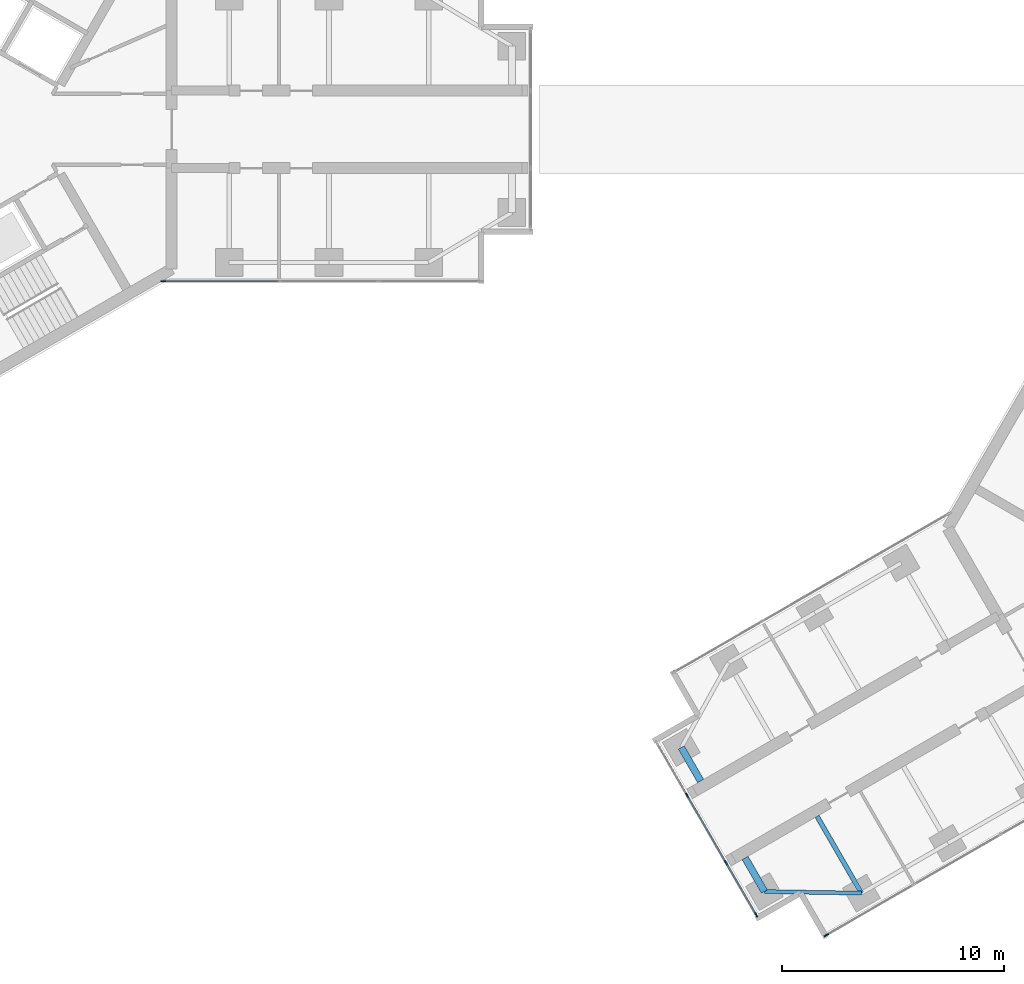
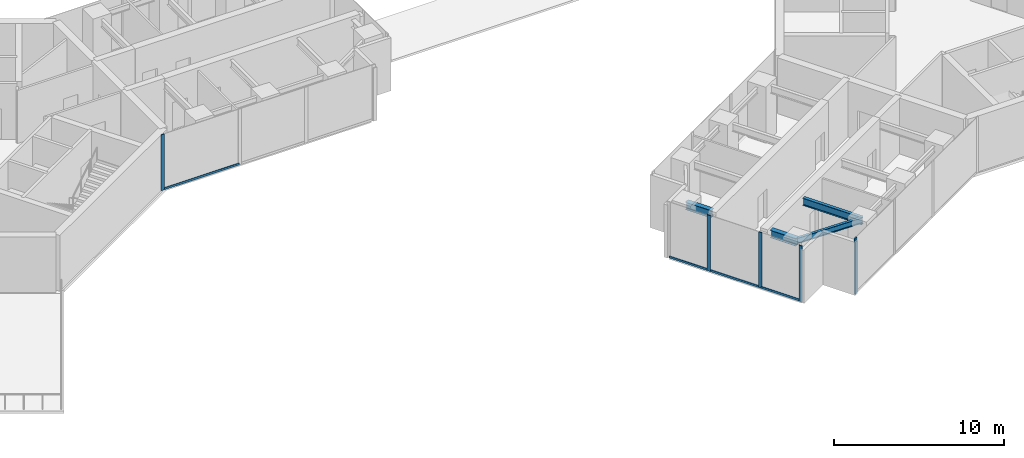
# One storey, part 2 of 18: 9 members, 4 beams, 3 elements without a shape of their own.
"""IFC4 building model written with IfcOpenShell, lengths in metres."""

from ifc_helpers import new_model, si_unit, direction, frame, origin, origin_2d, place, context, subcontext, project, spatial, rectangle, i_section, extrude, material, material_profile, profile_set, type_object, element, aggregate, save


model = new_model("IFC4")

# Units and contexts
model_context = context("Model", 3, precision=1e-05, world=origin(), true_north=direction((0.0, 1.0)))
body_context = subcontext(model_context, "Body", "Model", "MODEL_VIEW")
ifc_project = project(units=[si_unit("LENGTHUNIT", "METRE"), si_unit("AREAUNIT", "SQUARE_METRE"), si_unit("VOLUMEUNIT", "CUBIC_METRE"), si_unit("PLANEANGLEUNIT", "RADIAN"), si_unit("MASSUNIT", "GRAM", prefix="KILO")], contexts=[model_context])

# Site, building, storey
site_placement = place(None, origin())
site = spatial("IfcSite", under=ifc_project, at=site_placement, CompositionType="ELEMENT")
building_placement = place(site_placement, origin())
building = spatial("IfcBuilding", under=site, at=building_placement, Name="Upepo Twin Towers", CompositionType="ELEMENT")
storey_placement = place(building_placement, frame((0.0, 0.0, 170.5)))
storey = spatial("IfcBuildingStorey", under=building, at=storey_placement, Name="L41", CompositionType="ELEMENT", Elevation=170.5)

# Beams
ifc_material_1 = material(Name="Steel S355", Category="steel")
ifc_material_profile_1 = material_profile(ifc_material_1, i_section(OverallWidth=0.177978515625, OverallDepth=0.406494140625, WebThickness=0.0078125, FlangeThickness=0.0126953125, FilletRadius=0.01025390625, at=origin_2d()), Name="UB 406x178x60")
ifc_profile_set_1 = profile_set([ifc_material_profile_1], Name="Steel S355")
beam_type_1 = type_object("IfcBeamType", Name="Beam UB 406x178x60", PredefinedType="BEAM", material=ifc_profile_set_1)
beam_1_placement = place(storey_placement, frame((42.014404296875, -34.446044921875, 3.5966796875), z_axis=(-0.999858804832, 0.016803880528, 0.0), x_axis=(-0.016803880528, -0.999858804832, 0.0)))
element("IfcBeam", 1, at=beam_1_placement, inside=storey, type_object=beam_type_1, Name="T2 nose edge beam BL", PredefinedType="BEAM", context=body_context, shape_type="SweptSolid", body=[
    extrude(i_section(OverallWidth=0.177978515625, OverallDepth=0.406494140625, WebThickness=0.0078125, FlangeThickness=0.0126953125, FilletRadius=0.01025390625, at=origin_2d()), origin(), (0.0, 0.0, 1.0), 4.373291015625),
])
ifc_material_2 = material(Name="Steel S355", Category="steel")
ifc_material_profile_2 = material_profile(ifc_material_2, i_section(OverallWidth=0.209228515625, OverallDepth=0.533203125, WebThickness=0.010009765625, FlangeThickness=0.015625, FilletRadius=0.0126953125, at=origin_2d()), Name="UB 533x210x92")
ifc_profile_set_2 = profile_set([ifc_material_profile_2], Name="Steel S355")
beam_type_2 = type_object("IfcBeamType", Name="Beam UB 533x210x92", PredefinedType="BEAM", material=ifc_profile_set_2)
beam_2_placement = place(storey_placement, frame((42.014404296875, -34.446044921875, 3.533447265625), z_axis=(-0.49999894854, 0.866026010844, 0.0), x_axis=(-0.866026010844, -0.49999894854, 0.0)))
element("IfcBeam", 2, at=beam_2_placement, inside=storey, type_object=beam_type_2, Name="T2 girder BL at 22.5", PredefinedType="BEAM", context=body_context, shape_type="SweptSolid", body=[
    extrude(i_section(OverallWidth=0.209228515625, OverallDepth=0.533203125, WebThickness=0.010009765625, FlangeThickness=0.015625, FilletRadius=0.0126953125, at=origin_2d()), origin(), (0.0, 0.0, 1.0), 4.0),
])
ifc_material_3 = material(Name="Steel S355", Category="steel")
ifc_material_profile_3 = material_profile(ifc_material_3, i_section(OverallWidth=0.31201171875, OverallDepth=0.54345703125, WebThickness=0.0126953125, FlangeThickness=0.020263671875, FilletRadius=0.0126953125, at=origin_2d()), Name="UB 533x312x150")
ifc_profile_set_3 = profile_set([ifc_material_profile_3], Name="Steel S355")
beam_type_3 = type_object("IfcBeamType", Name="Beam UB 533x312x150", PredefinedType="BEAM", material=ifc_profile_set_3)
for number, where, z_axis, x_axis, name in (
    (3, (37.641845703125, -34.37255859375, 3.5283203125), (-0.499980071345, 0.866036909293, 0.0), (-0.866036909293, -0.499980071345, 0.0), "T2 nose beam BL"),
    (4, (33.891845703125, -27.87744140625, 3.5283203125), (0.499980071345, -0.866036909293, 0.0), (0.866036909293, 0.499980071345, 0.0), "T2 nose beam BR"),
):
    element("IfcBeam", number, at=place(storey_placement, frame(where, z_axis=z_axis, x_axis=x_axis)), inside=storey, type_object=beam_type_3, Name=name, PredefinedType="BEAM", context=body_context, shape_type="SweptSolid", body=[
        extrude(i_section(OverallWidth=0.31201171875, OverallDepth=0.54345703125, WebThickness=0.0126953125, FlangeThickness=0.020263671875, FilletRadius=0.0126953125, at=origin_2d()), origin(), (0.0, 0.0, 1.0), 1.75),
    ])

# Curtain wall, member
ifc_material_4 = material(Name="Aluminium and fritted glass", Category="aluminium")
curtain_wall_type = type_object("IfcCurtainWallType", Name="Tower curtain wall TW3, fritted glass", PredefinedType="NOTDEFINED", material=ifc_material_4)
curtain_wall_1_placement = place(storey_placement, origin())
curtain_wall_1 = element("IfcCurtainWall", 5, at=curtain_wall_1_placement, inside=storey, type_object=curtain_wall_type, Name="T1 L41 wing A flank R curtain wall", PredefinedType="NOTDEFINED")
ifc_material_5 = material(Name="Aluminium mullion", Category="aluminium")
ifc_material_profile_4 = material_profile(ifc_material_5, rectangle(XDim=0.06494140625, YDim=0.22509765625, at=origin_2d()), Name="MULLION 65x225")
ifc_profile_set_4 = profile_set([ifc_material_profile_4], Name="Aluminium mullion")
member_type_1 = type_object("IfcMemberType", Name="Mullion 65x225 TW3", PredefinedType="MULLION", material=ifc_profile_set_4)
member_1_placement = place(storey_placement, frame((10.51953125, -6.85009765625, 0.0), z_axis=(0.0, 0.0, 1.0), x_axis=(0.0, -1.0, 0.0)))
member_1 = element("IfcMember", 6, at=member_1_placement, type_object=member_type_1, Name="T1 L41 wing A flank R curtain wall mullion 4", PredefinedType="MULLION", context=body_context, shape_type="SweptSolid", body=[
    extrude(rectangle(XDim=0.06494140625, YDim=0.22509765625, at=origin_2d()), origin(), (0.0, 0.0, 1.0), 4.0),
])

curtain_wall_2_placement = place(storey_placement, origin())
curtain_wall_2 = element("IfcCurtainWall", 7, at=curtain_wall_2_placement, inside=storey, type_object=curtain_wall_type, Name="T2 L41 wing B flank L curtain wall", PredefinedType="NOTDEFINED")
member_2_placement = place(storey_placement, frame((40.432373046875, -36.341064453125, 0.0), z_axis=(0.0, 0.0, 1.0), x_axis=(0.500000026527, -0.866025388469, 0.0)))
member_2 = element("IfcMember", 8, at=member_2_placement, type_object=member_type_1, Name="T2 L41 wing B flank L curtain wall mullion 4", PredefinedType="MULLION", context=body_context, shape_type="SweptSolid", body=[
    extrude(rectangle(XDim=0.06494140625, YDim=0.22509765625, at=origin_2d()), origin(), (0.0, 0.0, 1.0), 4.0),
])
aggregate(curtain_wall_2, [member_2])

# Curtain wall, members
curtain_wall_3_placement = place(storey_placement, origin())
curtain_wall_3 = element("IfcCurtainWall", 9, at=curtain_wall_3_placement, inside=storey, type_object=curtain_wall_type, Name="T2 L41 wing B nose curtain wall", PredefinedType="NOTDEFINED")
member_3_placement = place(storey_placement, frame((34.15576171875, -30.034423828125, 0.0), z_axis=(0.0, 0.0, 1.0), x_axis=(0.866025386174, 0.500000030502, 0.0)))
member_3 = element("IfcMember", 10, at=member_3_placement, type_object=member_type_1, Name="T2 L41 wing B nose curtain wall mullion 2", PredefinedType="MULLION", context=body_context, shape_type="SweptSolid", body=[
    extrude(rectangle(XDim=0.06494140625, YDim=0.22509765625, at=origin_2d()), origin(), (0.0, 0.0, 1.0), 4.0),
])
member_4_placement = place(storey_placement, frame((35.90576171875, -33.0654296875, 0.0), z_axis=(0.0, 0.0, 1.0), x_axis=(0.866025386174, 0.500000030502, 0.0)))
member_4 = element("IfcMember", 11, at=member_4_placement, type_object=member_type_1, Name="T2 L41 wing B nose curtain wall mullion 3", PredefinedType="MULLION", context=body_context, shape_type="SweptSolid", body=[
    extrude(rectangle(XDim=0.06494140625, YDim=0.22509765625, at=origin_2d()), origin(), (0.0, 0.0, 1.0), 4.0),
])
member_5_placement = place(storey_placement, frame((37.264404296875, -35.4189453125, 0.0), z_axis=(0.0, 0.0, 1.0), x_axis=(0.866025386174, 0.500000030502, 0.0)))
member_5 = element("IfcMember", 12, at=member_5_placement, type_object=member_type_1, Name="T2 L41 wing B nose curtain wall mullion 4", PredefinedType="MULLION", context=body_context, shape_type="SweptSolid", body=[
    extrude(rectangle(XDim=0.06494140625, YDim=0.22509765625, at=origin_2d()), origin(), (0.0, 0.0, 1.0), 4.0),
])

# Member
ifc_material_6 = material(Name="Aluminium transom", Category="aluminium")
ifc_material_profile_5 = material_profile(ifc_material_6, rectangle(XDim=0.06494140625, YDim=0.14990234375, at=origin_2d()), Name="TRANSOM 65x150")
ifc_profile_set_5 = profile_set([ifc_material_profile_5], Name="Aluminium transom")
member_type_2 = type_object("IfcMemberType", Name="Transom 65x150 TW3", PredefinedType="USERDEFINED", material=ifc_profile_set_5)
member_6_placement = place(storey_placement, frame((15.717529296875, -6.85009765625, 0.074951171875), z_axis=(-1.0, 0.0, 0.0), x_axis=(0.0, -1.0, 0.0)))
member_6 = element("IfcMember", 13, at=member_6_placement, type_object=member_type_2, Name="T1 L41 wing A flank R curtain wall transom 3", ObjectType="TRANSOM", PredefinedType="USERDEFINED", context=body_context, shape_type="SweptSolid", body=[
    extrude(rectangle(XDim=0.06494140625, YDim=0.14990234375, at=origin_2d()), origin(), (0.0, 0.0, 1.0), 5.16552734375),
])

aggregate(curtain_wall_1, [member_1, member_6])

member_7_placement = place(storey_placement, frame((32.813232421875, -27.709228515625, 0.074951171875), z_axis=(0.499980071345, -0.866036909293, 0.0), x_axis=(0.866036909293, 0.499980071345, 0.0)))
member_7 = element("IfcMember", 14, at=member_7_placement, type_object=member_type_2, Name="T2 L41 wing B nose curtain wall transom 1", ObjectType="TRANSOM", PredefinedType="USERDEFINED", context=body_context, shape_type="SweptSolid", body=[
    extrude(rectangle(XDim=0.06494140625, YDim=0.14990234375, at=origin_2d()), origin(), (0.0, 0.0, 1.0), 2.65234375),
])

member_8_placement = place(storey_placement, frame((34.171875, -30.0625, 0.074951171875), z_axis=(0.499999305434, -0.866025804792, 0.0), x_axis=(0.866025804792, 0.499999305434, 0.0)))
member_8 = element("IfcMember", 15, at=member_8_placement, type_object=member_type_2, Name="T2 L41 wing B nose curtain wall transom 2", ObjectType="TRANSOM", PredefinedType="USERDEFINED", context=body_context, shape_type="SweptSolid", body=[
    extrude(rectangle(XDim=0.06494140625, YDim=0.14990234375, at=origin_2d()), origin(), (0.0, 0.0, 1.0), 3.43505859375),
])

member_9_placement = place(storey_placement, frame((35.921875, -33.09375, 0.074951171875), z_axis=(0.500049101008, -0.865997053448, 0.0), x_axis=(0.865997053448, 0.500049101008, 0.0)))
member_9 = element("IfcMember", 16, at=member_9_placement, type_object=member_type_2, Name="T2 L41 wing B nose curtain wall transom 3", ObjectType="TRANSOM", PredefinedType="USERDEFINED", context=body_context, shape_type="SweptSolid", body=[
    extrude(rectangle(XDim=0.06494140625, YDim=0.14990234375, at=origin_2d()), origin(), (0.0, 0.0, 1.0), 2.652587890625),
])

aggregate(curtain_wall_3, [member_3, member_4, member_5, member_7, member_8, member_9])

save(model, "model.ifc")
